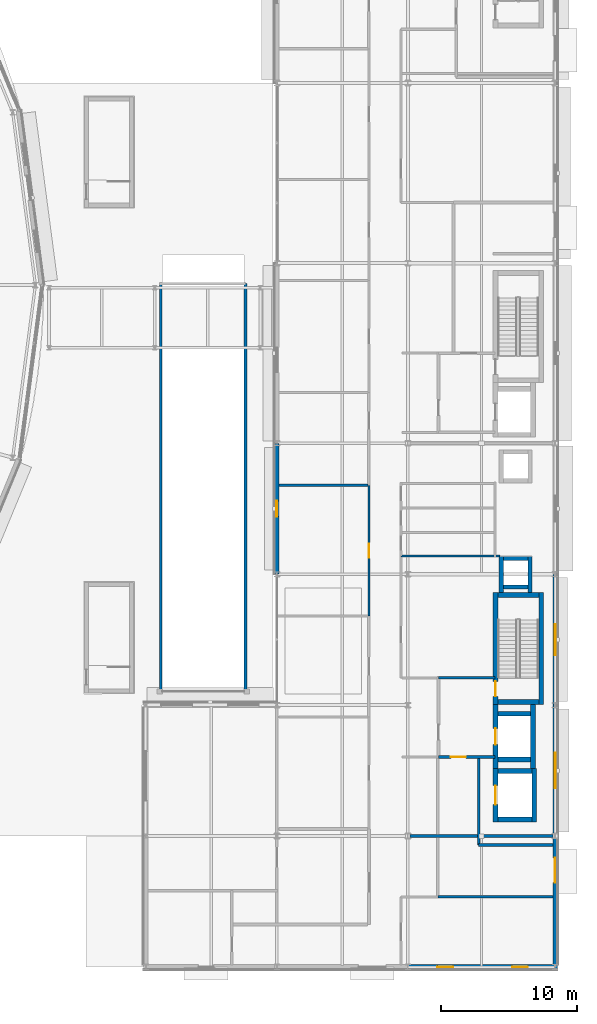
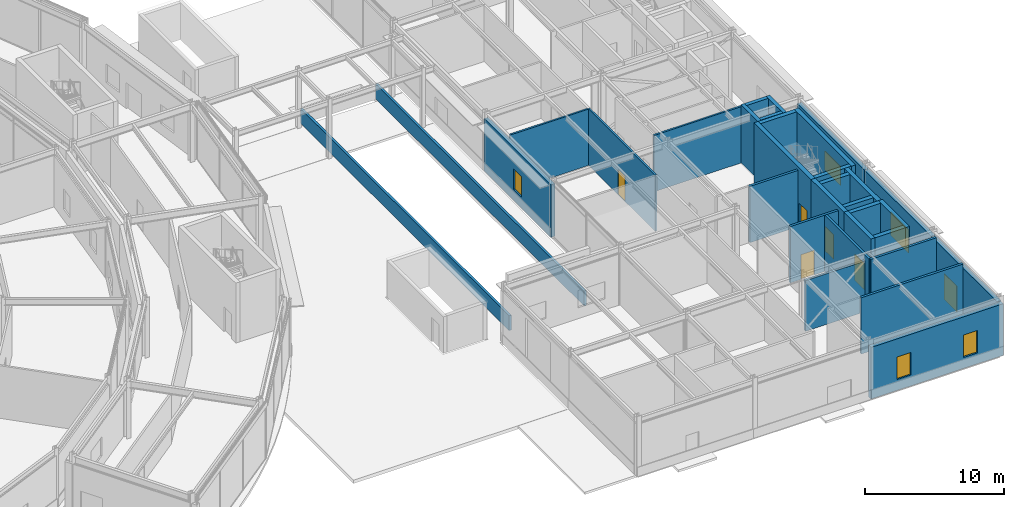
# One storey, part 128 of 168: 32 walls, 6 doors, 5 windows, 11 openings.
"""IFC4 building model written with IfcOpenShell, lengths in metres."""

from ifc_helpers import new_model, si_unit, direction, frame, frame_2d, origin, place, context, subcontext, project, spatial, rectangle, extrude, material, layer, layer_set, type_object, element, fill, save


model = new_model("IFC4")

# Units and contexts
model_context = context("Model", 3, precision=1e-05, world=origin(), true_north=direction((0.0, 1.0)))
body_context = subcontext(model_context, "Body", "Model", "MODEL_VIEW")
ifc_project = project(units=[si_unit("LENGTHUNIT", "METRE"), si_unit("AREAUNIT", "SQUARE_METRE"), si_unit("VOLUMEUNIT", "CUBIC_METRE"), si_unit("PLANEANGLEUNIT", "RADIAN"), si_unit("MASSUNIT", "GRAM", prefix="KILO")], contexts=[model_context])

# Site, building, storey
site_placement = place(None, origin())
site = spatial("IfcSite", under=ifc_project, at=site_placement, CompositionType="ELEMENT")
building_placement = place(site_placement, origin())
building = spatial("IfcBuilding", under=site, at=building_placement, Name="Almandine Court Research Institute", CompositionType="ELEMENT")
storey_placement = place(building_placement, origin())
storey = spatial("IfcBuildingStorey", under=building, at=storey_placement, Name="L00", CompositionType="ELEMENT", Elevation=0.0)

# Wall, opening, window
ifc_material_1 = material(Name="Andean Red-Buff Sandstone Plinth Wall", Category="masonry")
ifc_layer_1 = layer(ifc_material_1, 0.340087890625)
ifc_layer_set_1 = layer_set([ifc_layer_1], Name="Andean Red-Buff Sandstone Plinth Wall")
wall_type_1 = type_object("IfcWallType", Name="Wall-EXT-SAND-340", PredefinedType="SOLIDWALL", material=ifc_layer_set_1)
wall_1_placement = place(storey_placement, frame((153.60009765625, 34.803955078125, 0.0), z_axis=(0.0, 0.0, 1.0), x_axis=(0.0, 1.0, 0.0)))
wall_1 = element("IfcWall", 1, at=wall_1_placement, inside=storey, type_object=wall_type_1, Name="L00 Wet Lab West Facade Wall 2", PredefinedType="SOLIDWALL", context=body_context, shape_type="SweptSolid", body=[
    extrude(rectangle(XDim=9.592041015625, YDim=0.340087890625, at=frame_2d((4.7958984375, 0.0))), origin(), (0.0, 0.0, 1.0), 4.593017578125),
])
opening_1_placement = place(wall_1_placement, frame((4.216064453125, 0.0, 0.949951171875)))
opening_1 = element("IfcOpeningElement", 2, at=opening_1_placement, cuts=wall_1, Name="Opening WN-45", PredefinedType="OPENING", context=body_context, shape_type="SweptSolid", body=[
    extrude(rectangle(XDim=1.159912109375, YDim=1.81005859375, at=frame_2d((0.580078125, 0.905029296875))), frame((0.0, 0.179931640625, 0.0), z_axis=(0.0, -1.0, 0.0), x_axis=(1.0, 0.0, 0.0)), (0.0, 0.0, 1.0), 0.360107421875),
])
ifc_material_2 = material(Name="Thermally Broken Low-E Double-Glazed Window", Category="glass")
window_type_1 = type_object("IfcWindowType", Name="Win-WN-45-1160x1810", PartitioningType="SINGLE_PANEL", PredefinedType="WINDOW", material=ifc_material_2)
window_1_placement = place(opening_1_placement, origin())
window_1 = element("IfcWindow", 3, at=window_1_placement, inside=storey, type_object=window_type_1, Name="L00 Modular Recessed Low-E Window 69", OverallHeight=1.81005859375, OverallWidth=1.159912109375, PartitioningType="SINGLE_PANEL", PredefinedType="WINDOW", context=body_context, shape_type="SweptSolid", body=[
    extrude(rectangle(XDim=1.159912109375, YDim=1.81005859375, at=frame_2d((0.580078125, 0.905029296875))), frame((0.0, 0.030029296875, 0.0), z_axis=(0.0, -1.0, 0.0), x_axis=(1.0, 0.0, 0.0)), (0.0, 0.0, 1.0), 0.06005859375),
])
fill(opening_1, window_1)

wall_2_placement = place(storey_placement, frame((174.0, 34.7958984375, 0.0), z_axis=(0.0, 0.0, 1.0), x_axis=(0.0, -1.0, 0.0)))
wall_2 = element("IfcWall", 4, at=wall_2_placement, inside=storey, type_object=wall_type_1, Name="L00 Wet Lab East Facade Wall 3", PredefinedType="SOLIDWALL", context=body_context, shape_type="SweptSolid", body=[
    extrude(rectangle(XDim=9.591796875, YDim=0.340087890625, at=frame_2d((4.7958984375, 0.0))), origin(), (0.0, 0.0, 1.0), 4.583984375),
])
opening_2_placement = place(wall_2_placement, frame((3.666015625, 0.0, 0.949951171875)))
opening_2 = element("IfcOpeningElement", 5, at=opening_2_placement, cuts=wall_2, Name="Opening WN-58", PredefinedType="OPENING", context=body_context, shape_type="SweptSolid", body=[
    extrude(rectangle(XDim=2.260009765625, YDim=1.64990234375, at=frame_2d((1.1298828125, 0.824951171875))), frame((0.0, 0.179931640625, 0.0), z_axis=(0.0, -1.0, 0.0), x_axis=(1.0, 0.0, 0.0)), (0.0, 0.0, 1.0), 0.360107421875),
])
window_type_2 = type_object("IfcWindowType", Name="Win-WN-58-2260x1650", PartitioningType="SINGLE_PANEL", PredefinedType="WINDOW", material=ifc_material_2)
window_2_placement = place(opening_2_placement, origin())
window_2 = element("IfcWindow", 6, at=window_2_placement, inside=storey, type_object=window_type_2, Name="L00 Modular Recessed Low-E Window 83", OverallHeight=1.64990234375, OverallWidth=2.260009765625, PartitioningType="SINGLE_PANEL", PredefinedType="WINDOW", context=body_context, shape_type="SweptSolid", body=[
    extrude(rectangle(XDim=2.260009765625, YDim=1.64990234375, at=frame_2d((1.1298828125, 0.824951171875))), frame((0.0, 0.030029296875, 0.0), z_axis=(0.0, -1.0, 0.0), x_axis=(1.0, 0.0, 0.0)), (0.0, 0.0, 1.0), 0.06005859375),
])
fill(opening_2, window_2)

wall_3_placement = place(storey_placement, frame((174.0, 25.196044921875, 0.0), z_axis=(0.0, 0.0, 1.0), x_axis=(0.0, -1.0, 0.0)))
wall_3 = element("IfcWall", 7, at=wall_3_placement, inside=storey, type_object=wall_type_1, Name="L00 Wet Lab East Facade Wall 2", PredefinedType="SOLIDWALL", context=body_context, shape_type="SweptSolid", body=[
    extrude(rectangle(XDim=9.592041015625, YDim=0.340087890625, at=frame_2d((4.7958984375, 0.0))), origin(), (0.0, 0.0, 1.0), 4.583984375),
])
opening_3_placement = place(wall_3_placement, frame((3.5009765625, 0.0, 0.949951171875)))
opening_3 = element("IfcOpeningElement", 8, at=opening_3_placement, cuts=wall_3, Name="Opening WN-59", PredefinedType="OPENING", context=body_context, shape_type="SweptSolid", body=[
    extrude(rectangle(XDim=2.590087890625, YDim=2.050048828125, at=frame_2d((1.294921875, 1.02490234375))), frame((0.0, 0.179931640625, 0.0), z_axis=(0.0, -1.0, 0.0), x_axis=(1.0, 0.0, 0.0)), (0.0, 0.0, 1.0), 0.360107421875),
])
window_type_3 = type_object("IfcWindowType", Name="Win-WN-59-2590x2050", PartitioningType="SINGLE_PANEL", PredefinedType="WINDOW", material=ifc_material_2)
window_3_placement = place(opening_3_placement, origin())
window_3 = element("IfcWindow", 9, at=window_3_placement, inside=storey, type_object=window_type_3, Name="L00 Modular Recessed Low-E Window 84", OverallHeight=2.050048828125, OverallWidth=2.590087890625, PartitioningType="SINGLE_PANEL", PredefinedType="WINDOW", context=body_context, shape_type="SweptSolid", body=[
    extrude(rectangle(XDim=2.590087890625, YDim=2.050048828125, at=frame_2d((1.294921875, 1.02490234375))), frame((0.0, 0.030029296875, 0.0), z_axis=(0.0, -1.0, 0.0), x_axis=(1.0, 0.0, 0.0)), (0.0, 0.0, 1.0), 0.06005859375),
])
fill(opening_3, window_3)

# Wall, opening, door
wall_4_placement = place(storey_placement, frame((174.0, 15.595947265625, 0.0), z_axis=(0.0, 0.0, 1.0), x_axis=(0.0, -1.0, 0.0)))
wall_4 = element("IfcWall", 10, at=wall_4_placement, inside=storey, type_object=wall_type_1, Name="L00 Wet Lab East Facade Wall 1", PredefinedType="SOLIDWALL", context=body_context, shape_type="SweptSolid", body=[
    extrude(rectangle(XDim=9.421875, YDim=0.340087890625, at=frame_2d((4.7109375, 0.0))), origin(), (0.0, 0.0, 1.0), 4.583984375),
])
opening_4_placement = place(wall_4_placement, frame((1.60009765625, 0.0, 0.0)))
opening_4 = element("IfcOpeningElement", 11, at=opening_4_placement, cuts=wall_4, Name="Opening EX-02", PredefinedType="OPENING", context=body_context, shape_type="SweptSolid", body=[
    extrude(rectangle(XDim=1.800048828125, YDim=2.25, at=frame_2d((0.89990234375, 1.125))), frame((0.0, 0.179931640625, 0.0), z_axis=(0.0, -1.0, 0.0), x_axis=(1.0, 0.0, 0.0)), (0.0, 0.0, 1.0), 0.360107421875),
])
ifc_material_3 = material(Name="Anodised Aluminium Exit Discharge Door", Category="aluminium")
door_type_1 = type_object("IfcDoorType", Name="Door-EX-1800", OperationType="DOUBLE_DOOR_SINGLE_SWING", PredefinedType="DOOR", material=ifc_material_3)
door_1_placement = place(opening_4_placement, origin())
door_1 = element("IfcDoor", 12, at=door_1_placement, inside=storey, type_object=door_type_1, Name="L00 Core 1 ST-07 East Protected Exit Door", OperationType="DOUBLE_DOOR_SINGLE_SWING", OverallHeight=2.25, OverallWidth=1.800048828125, PredefinedType="DOOR", context=body_context, shape_type="SweptSolid", body=[
    extrude(rectangle(XDim=1.800048828125, YDim=2.25, at=frame_2d((0.89990234375, 1.125))), frame((0.0, 0.02490234375, 0.0), z_axis=(0.0, -1.0, 0.0), x_axis=(1.0, 0.0, 0.0)), (0.0, 0.0, 1.0), 0.050048828125),
])
fill(opening_4, door_1)

# Wall, openings, windows
wall_5_placement = place(storey_placement, frame((174.169921875, 6.0, 0.0), z_axis=(0.0, 0.0, 1.0), x_axis=(-1.0, 0.0, 0.0)))
wall_5 = element("IfcWall", 13, at=wall_5_placement, inside=storey, type_object=wall_type_1, Name="L00 Wet Lab South Wall 1", PredefinedType="SOLIDWALL", context=body_context, shape_type="SweptSolid", body=[
    extrude(rectangle(XDim=10.9658203125, YDim=0.340087890625, at=frame_2d((5.48291015625, 0.0))), origin(), (0.0, 0.0, 1.0), 4.51611328125),
])
opening_5_placement = place(wall_5_placement, frame((2.160888671875, 0.0, 0.949951171875)))
opening_5 = element("IfcOpeningElement", 14, at=opening_5_placement, cuts=wall_5, Name="Opening WN-60", PredefinedType="OPENING", context=body_context, shape_type="SweptSolid", body=[
    extrude(rectangle(XDim=1.159912109375, YDim=1.969970703125, at=frame_2d((0.580078125, 0.98486328125))), frame((0.0, 0.179931640625, 0.0), z_axis=(0.0, -1.0, 0.0), x_axis=(1.0, 0.0, 0.0)), (0.0, 0.0, 1.0), 0.360107421875),
])
opening_6_placement = place(wall_5_placement, frame((7.64404296875, 0.0, 0.949951171875)))
opening_6 = element("IfcOpeningElement", 15, at=opening_6_placement, cuts=wall_5, Name="Opening WN-60", PredefinedType="OPENING", context=body_context, shape_type="SweptSolid", body=[
    extrude(rectangle(XDim=1.159912109375, YDim=1.969970703125, at=frame_2d((0.580078125, 0.98486328125))), frame((0.0, 0.179931640625, 0.0), z_axis=(0.0, -1.0, 0.0), x_axis=(1.0, 0.0, 0.0)), (0.0, 0.0, 1.0), 0.360107421875),
])
window_type_4 = type_object("IfcWindowType", Name="Win-WN-60-1160x1970", PartitioningType="SINGLE_PANEL", PredefinedType="WINDOW", material=ifc_material_2)
window_4_placement = place(opening_5_placement, origin())
window_4 = element("IfcWindow", 16, at=window_4_placement, inside=storey, type_object=window_type_4, Name="L00 Modular Recessed Low-E Window 85", OverallHeight=1.969970703125, OverallWidth=1.159912109375, PartitioningType="SINGLE_PANEL", PredefinedType="WINDOW", context=body_context, shape_type="SweptSolid", body=[
    extrude(rectangle(XDim=1.159912109375, YDim=1.969970703125, at=frame_2d((0.580078125, 0.98486328125))), frame((0.0, 0.030029296875, 0.0), z_axis=(0.0, -1.0, 0.0), x_axis=(1.0, 0.0, 0.0)), (0.0, 0.0, 1.0), 0.06005859375),
])
fill(opening_5, window_4)
window_5_placement = place(opening_6_placement, origin())
window_5 = element("IfcWindow", 17, at=window_5_placement, inside=storey, type_object=window_type_4, Name="L00 Modular Recessed Low-E Window 86", OverallHeight=1.969970703125, OverallWidth=1.159912109375, PartitioningType="SINGLE_PANEL", PredefinedType="WINDOW", context=body_context, shape_type="SweptSolid", body=[
    extrude(rectangle(XDim=1.159912109375, YDim=1.969970703125, at=frame_2d((0.580078125, 0.98486328125))), frame((0.0, 0.030029296875, 0.0), z_axis=(0.0, -1.0, 0.0), x_axis=(1.0, 0.0, 0.0)), (0.0, 0.0, 1.0), 0.06005859375),
])
fill(opening_6, window_5)

# Wall
ifc_material_4 = material(Name="Two-Hour Fire-Barrier Enclosure Wall")
ifc_layer_2 = layer(ifc_material_4, 0.199951171875)
ifc_layer_set_2 = layer_set([ifc_layer_2], Name="Two-Hour Fire-Barrier Enclosure Wall")
wall_type_2 = type_object("IfcWallType", Name="Wall-FIRE-200", PredefinedType="SOLIDWALL", material=ifc_layer_set_2)
wall_6_placement = place(storey_placement, frame((163.360107421875, 15.60009765625, 0.0), z_axis=(0.0, 0.0, 1.0), x_axis=(1.0, 0.0, 0.0)))
element("IfcWall", 18, at=wall_6_placement, inside=storey, type_object=wall_type_2, Name="L00 Interior Partition W-BF-V4-BF1-L00", PredefinedType="SOLIDWALL", context=body_context, shape_type="SweptSolid", body=[
    extrude(rectangle(XDim=10.47998046875, YDim=0.199951171875, at=frame_2d((5.239990234375, 0.0))), origin(), (0.0, 0.0, 1.0), 4.43798828125),
])

# Wall, opening, door
wall_7_placement = place(storey_placement, frame((165.449951171875, 21.39990234375, 0.0), z_axis=(0.0, 0.0, 1.0), x_axis=(1.0, 0.0, 0.0)))
wall_7 = element("IfcWall", 19, at=wall_7_placement, inside=storey, type_object=wall_type_2, Name="L00 Interior Partition W-FFL1-L00-S", PredefinedType="SOLIDWALL", context=body_context, shape_type="SweptSolid", body=[
    extrude(rectangle(XDim=4.150146484375, YDim=0.199951171875, at=frame_2d((2.0751953125, 0.0))), origin(), (0.0, 0.0, 1.0), 4.929931640625),
])
opening_7_placement = place(wall_7_placement, frame((0.89990234375, 0.0, 0.0)))
opening_7 = element("IfcOpeningElement", 20, at=opening_7_placement, cuts=wall_7, Name="Opening FD-FFL", PredefinedType="OPENING", context=body_context, shape_type="SweptSolid", body=[
    extrude(rectangle(XDim=1.10009765625, YDim=2.14990234375, at=frame_2d((0.550048828125, 1.074951171875))), frame((0.0, 0.10986328125, 0.0), z_axis=(0.0, -1.0, 0.0), x_axis=(1.0, 0.0, 0.0)), (0.0, 0.0, 1.0), 0.219970703125),
])
ifc_material_5 = material(Name="Smoke-Tight Firefighting Lobby Fire Door")
door_type_2 = type_object("IfcDoorType", Name="Door-FD-FFL-1100", OperationType="NOTDEFINED", PredefinedType="DOOR", material=ifc_material_5)
door_2_placement = place(opening_7_placement, origin())
door_2 = element("IfcDoor", 21, at=door_2_placement, inside=storey, type_object=door_type_2, Name="L00 ST-07 Protected Exit Passageway Door", OperationType="SINGLE_SWING_RIGHT", OverallHeight=2.14990234375, OverallWidth=1.10009765625, PredefinedType="DOOR", context=body_context, shape_type="SweptSolid", body=[
    extrude(rectangle(XDim=1.10009765625, YDim=2.14990234375, at=frame_2d((0.550048828125, 1.074951171875))), frame((0.0, 0.02490234375, 0.0), z_axis=(0.0, -1.0, 0.0), x_axis=(1.0, 0.0, 0.0)), (0.0, 0.0, 1.0), 0.050048828125),
])
fill(opening_7, door_2)

# Walls
wall_8_placement = place(storey_placement, frame((165.449951171875, 27.199951171875, 0.0), z_axis=(0.0, 0.0, 1.0), x_axis=(1.0, 0.0, 0.0)))
element("IfcWall", 22, at=wall_8_placement, inside=storey, type_object=wall_type_2, Name="L00 Interior Partition W-FFL1-L00-N", PredefinedType="SOLIDWALL", context=body_context, shape_type="SweptSolid", body=[
    extrude(rectangle(XDim=4.150146484375, YDim=0.199951171875, at=frame_2d((2.0751953125, 0.0))), origin(), (0.0, 0.0, 1.0), 4.929931640625),
])
wall_9_placement = place(storey_placement, frame((165.39990234375, 11.14990234375, 0.0), z_axis=(0.0, 0.0, 1.0), x_axis=(1.0, 0.0, 0.0)))
element("IfcWall", 23, at=wall_9_placement, inside=storey, type_object=wall_type_2, Name="L00 Interior Partition W-EP-ST07-S", PredefinedType="SOLIDWALL", context=body_context, shape_type="SweptSolid", body=[
    extrude(rectangle(XDim=8.440185546875, YDim=0.199951171875, at=frame_2d((4.22021484375, 0.0))), origin(), (0.0, 0.0, 1.0), 4.929931640625),
])
wall_10_placement = place(storey_placement, frame((168.39990234375, 14.949951171875, 0.0), z_axis=(0.0, 0.0, 1.0), x_axis=(1.0, 0.0, 0.0)))
element("IfcWall", 24, at=wall_10_placement, inside=storey, type_object=wall_type_2, Name="L00 Interior Partition W-EP-ST07-N", PredefinedType="SOLIDWALL", context=body_context, shape_type="SweptSolid", body=[
    extrude(rectangle(XDim=5.440185546875, YDim=0.199951171875, at=frame_2d((2.72021484375, 0.0))), origin(), (0.0, 0.0, 1.0), 4.929931640625),
])
wall_11_placement = place(storey_placement, frame((168.39990234375, 14.949951171875, 0.0), z_axis=(0.0, 0.0, 1.0), x_axis=(0.0, 1.0, 0.0)))
element("IfcWall", 25, at=wall_11_placement, inside=storey, type_object=wall_type_2, Name="L00 Interior Partition W-EP-ST07-E", PredefinedType="SOLIDWALL", context=body_context, shape_type="SweptSolid", body=[
    extrude(rectangle(XDim=6.400146484375, YDim=0.199951171875, at=frame_2d((3.2001953125, 0.0))), origin(), (0.0, 0.0, 1.0), 4.929931640625),
])
ifc_material_6 = material(Name="Terracotta-Coping Ramp and Terrace Parapet", Category="masonry")
ifc_layer_3 = layer(ifc_material_6, 0.18994140625)
ifc_layer_set_3 = layer_set([ifc_layer_3], Name="Terracotta-Coping Ramp and Terrace Parapet")
wall_type_3 = type_object("IfcWallType", Name="Wall-PAR-190", PredefinedType="PARAPET", material=ifc_layer_set_3)
for number, where, z_axis, x_axis, name in (
    (26, (145.10009765625, 26.199951171875, 0.0), (0.0, 0.0, 1.0), (0.0, 1.0, 0.0), "L00 Ramp Well West Parapet"),
    (27, (151.300048828125, 56.10009765625, 0.0), (0.0, 0.0, 1.0), (0.0, -1.0, 0.0), "L00 Ramp Well East Parapet"),
):
    element("IfcWall", number, at=place(storey_placement, frame(where, z_axis=z_axis, x_axis=x_axis)), inside=storey, type_object=wall_type_3, Name=name, PredefinedType="PARAPET", context=body_context, shape_type="SweptSolid", body=[
        extrude(rectangle(XDim=29.900146484375, YDim=0.18994140625, at=frame_2d((14.9501953125, 0.0))), origin(), (0.0, 0.0, 1.0), 1.300048828125),
    ])
ifc_material_7 = material(Name="Acoustic Steel-Stud Gypsum Partition Wall", Category="steel")
ifc_layer_4 = layer(ifc_material_7, 0.14990234375)
ifc_layer_set_4 = layer_set([ifc_layer_4], Name="Acoustic Steel-Stud Gypsum Partition Wall")
wall_type_4 = type_object("IfcWallType", Name="Wall-PART-150", PredefinedType="PARTITIONING", material=ifc_layer_set_4)
wall_12_placement = place(storey_placement, frame((162.699951171875, 36.1201171875, 0.0), z_axis=(0.0, 0.0, 1.0), x_axis=(1.0, 0.0, 0.0)))
element("IfcWall", 28, at=wall_12_placement, inside=storey, type_object=wall_type_4, Name="L00 Interior Partition W-V4-L00-WCS", PredefinedType="PARTITIONING", context=body_context, shape_type="SweptSolid", body=[
    extrude(rectangle(XDim=7.25, YDim=0.14990234375, at=frame_2d((3.625, 0.0))), origin(), (0.0, 0.0, 1.0), 4.929931640625),
])

# Wall, opening, door
wall_13_placement = place(storey_placement, frame((160.35009765625, 31.719970703125, 0.0), z_axis=(0.0, 0.0, 1.0), x_axis=(0.0, 1.0, 0.0)))
wall_13 = element("IfcWall", 29, at=wall_13_placement, inside=storey, type_object=wall_type_4, Name="L00 Interior Partition W-V4-L00-WW-2", PredefinedType="PARTITIONING", context=body_context, shape_type="SweptSolid", body=[
    extrude(rectangle(XDim=9.60009765625, YDim=0.14990234375, at=frame_2d((4.800048828125, 0.0))), origin(), (0.0, 0.0, 1.0), 4.929931640625),
])
opening_8_placement = place(wall_13_placement, frame((4.300048828125, 0.0, 0.0)))
opening_8 = element("IfcOpeningElement", 30, at=opening_8_placement, cuts=wall_13, Name="Opening D-02", PredefinedType="OPENING", context=body_context, shape_type="SweptSolid", body=[
    extrude(rectangle(XDim=1.0, YDim=2.199951171875, at=frame_2d((0.5, 1.10009765625))), frame((0.0, 0.0849609375, 0.0), z_axis=(0.0, -1.0, 0.0), x_axis=(1.0, 0.0, 0.0)), (0.0, 0.0, 1.0), 0.169921875),
])
ifc_material_8 = material(Name="Solid-Core Timber Researcher Office Door", Category="wood")
door_type_3 = type_object("IfcDoorType", Name="Door-INT-1000", OperationType="NOTDEFINED", PredefinedType="DOOR", material=ifc_material_8)
door_3_placement = place(opening_8_placement, origin())
door_3 = element("IfcDoor", 31, at=door_3_placement, inside=storey, type_object=door_type_3, Name="L00 Faculty Study Door", OperationType="SINGLE_SWING_RIGHT", OverallHeight=2.199951171875, OverallWidth=1.0, PredefinedType="DOOR", context=body_context, shape_type="SweptSolid", body=[
    extrude(rectangle(XDim=1.0, YDim=2.199951171875, at=frame_2d((0.5, 1.10009765625))), frame((0.0, 0.02490234375, 0.0), z_axis=(0.0, -1.0, 0.0), x_axis=(1.0, 0.0, 0.0)), (0.0, 0.0, 1.0), 0.050048828125),
])
fill(opening_8, door_3)

# Walls
wall_14_placement = place(storey_placement, frame((153.760009765625, 41.320068359375, 0.0), z_axis=(0.0, 0.0, 1.0), x_axis=(1.0, 0.0, 0.0)))
element("IfcWall", 32, at=wall_14_placement, inside=storey, type_object=wall_type_4, Name="L00 Interior Partition W-V4-L00-WDIV-2", PredefinedType="PARTITIONING", context=body_context, shape_type="SweptSolid", body=[
    extrude(rectangle(XDim=6.510009765625, YDim=0.14990234375, at=frame_2d((3.2548828125, 0.0))), origin(), (0.0, 0.0, 1.0), 4.929931640625),
])
ifc_material_9 = material(Name="Concrete C40/50", Category="concrete")
ifc_layer_5 = layer(ifc_material_9, 0.300048828125)
ifc_layer_set_5 = layer_set([ifc_layer_5], Name="Concrete C40/50")
wall_type_5 = type_object("IfcWallType", Name="Wall-SW-CORE-300", PredefinedType="SHEAR", material=ifc_layer_set_5)
wall_15_placement = place(storey_placement, frame((170.050048828125, 33.449951171875, 0.0), z_axis=(0.0, 0.0, 1.0), x_axis=(0.0, 1.0, 0.0)))
element("IfcWall", 33, at=wall_15_placement, inside=storey, type_object=wall_type_5, Name="L00 MEP Riser RS-V4A W Shear Wall", PredefinedType="SHEAR", context=body_context, shape_type="SweptSolid", body=[
    extrude(rectangle(XDim=2.650146484375, YDim=0.300048828125, at=frame_2d((1.3251953125, 0.0))), origin(), (0.0, 0.0, 1.0), 5.070068359375),
])
wall_16_placement = place(storey_placement, frame((170.199951171875, 35.949951171875, 0.0), z_axis=(0.0, 0.0, 1.0), x_axis=(1.0, 0.0, 0.0)))
element("IfcWall", 34, at=wall_16_placement, inside=storey, type_object=wall_type_5, Name="L00 MEP Riser RS-V4A N Shear Wall", PredefinedType="SHEAR", context=body_context, shape_type="SweptSolid", body=[
    extrude(rectangle(XDim=1.800048828125, YDim=0.300048828125, at=frame_2d((0.89990234375, 0.0))), origin(), (0.0, 0.0, 1.0), 5.070068359375),
])
wall_17_placement = place(storey_placement, frame((172.14990234375, 36.10009765625, 0.0), z_axis=(0.0, 0.0, 1.0), x_axis=(0.0, -1.0, 0.0)))
element("IfcWall", 35, at=wall_17_placement, inside=storey, type_object=wall_type_5, Name="L00 MEP Riser RS-V4A E Shear Wall", PredefinedType="SHEAR", context=body_context, shape_type="SweptSolid", body=[
    extrude(rectangle(XDim=2.650146484375, YDim=0.300048828125, at=frame_2d((1.3251953125, 0.0))), origin(), (0.0, 0.0, 1.0), 5.070068359375),
])
wall_18_placement = place(storey_placement, frame((172.0, 33.85009765625, 0.0), z_axis=(0.0, 0.0, 1.0), x_axis=(-1.0, 0.0, 0.0)))
element("IfcWall", 36, at=wall_18_placement, inside=storey, type_object=wall_type_5, Name="L00 MEP Riser RS-V4A S Shear Wall", PredefinedType="SHEAR", context=body_context, shape_type="SweptSolid", body=[
    extrude(rectangle(XDim=1.800048828125, YDim=0.300048828125, at=frame_2d((0.89990234375, 0.0))), origin(), (0.0, 0.0, 1.0), 5.070068359375),
])

# Wall, opening, door
ifc_layer_6 = layer(ifc_material_9, 0.35009765625)
ifc_layer_set_6 = layer_set([ifc_layer_6], Name="Concrete C40/50")
wall_type_6 = type_object("IfcWallType", Name="Wall-SW-CORE-350", PredefinedType="SHEAR", material=ifc_layer_set_6)
wall_19_placement = place(storey_placement, frame((169.625, 25.25, 0.0), z_axis=(0.0, 0.0, 1.0), x_axis=(0.0, 1.0, 0.0)))
wall_19 = element("IfcWall", 37, at=wall_19_placement, inside=storey, type_object=wall_type_6, Name="L00 ST-07 W Shear Wall", PredefinedType="SHEAR", context=body_context, shape_type="SweptSolid", body=[
    extrude(rectangle(XDim=8.199951171875, YDim=0.35009765625, at=frame_2d((4.10009765625, 0.0))), origin(), (0.0, 0.0, 1.0), 5.25),
])
opening_9_placement = place(wall_19_placement, frame((0.60009765625, 0.0, 0.0)))
opening_9 = element("IfcOpeningElement", 38, at=opening_9_placement, cuts=wall_19, Name="Opening FD-STAIR", PredefinedType="OPENING", context=body_context, shape_type="SweptSolid", body=[
    extrude(rectangle(XDim=1.10009765625, YDim=2.14990234375, at=frame_2d((0.550048828125, 1.074951171875))), frame((0.0, 0.18505859375, 0.0), z_axis=(0.0, -1.0, 0.0), x_axis=(1.0, 0.0, 0.0)), (0.0, 0.0, 1.0), 0.3701171875),
])
ifc_material_10 = material(Name="Self-Closing Steel Exit Stair Fire Door", Category="steel")
door_type_4 = type_object("IfcDoorType", Name="Door-FD-STAIR-1100", OperationType="NOTDEFINED", PredefinedType="DOOR", material=ifc_material_10)
door_4_placement = place(opening_9_placement, origin())
door_4 = element("IfcDoor", 39, at=door_4_placement, inside=storey, type_object=door_type_4, Name="L00 Exit Stair ST-07 Fire Door", OperationType="SINGLE_SWING_LEFT", OverallHeight=2.14990234375, OverallWidth=1.10009765625, PredefinedType="DOOR", context=body_context, shape_type="SweptSolid", body=[
    extrude(rectangle(XDim=1.10009765625, YDim=2.14990234375, at=frame_2d((0.550048828125, 1.074951171875))), frame((0.0, 0.02490234375, 0.0), z_axis=(0.0, -1.0, 0.0), x_axis=(1.0, 0.0, 0.0)), (0.0, 0.0, 1.0), 0.050048828125),
])
fill(opening_9, door_4)

# Walls
wall_20_placement = place(storey_placement, frame((169.800048828125, 33.27490234375, 0.0), z_axis=(0.0, 0.0, 1.0), x_axis=(1.0, 0.0, 0.0)))
element("IfcWall", 40, at=wall_20_placement, inside=storey, type_object=wall_type_6, Name="L00 ST-07 N Shear Wall", PredefinedType="SHEAR", context=body_context, shape_type="SweptSolid", body=[
    extrude(rectangle(XDim=3.0, YDim=0.35009765625, at=frame_2d((1.5, 0.0))), origin(), (0.0, 0.0, 1.0), 5.25),
])
wall_21_placement = place(storey_placement, frame((172.97509765625, 33.449951171875, 0.0), z_axis=(0.0, 0.0, 1.0), x_axis=(0.0, -1.0, 0.0)))
element("IfcWall", 41, at=wall_21_placement, inside=storey, type_object=wall_type_6, Name="L00 ST-07 E Shear Wall", PredefinedType="SHEAR", context=body_context, shape_type="SweptSolid", body=[
    extrude(rectangle(XDim=8.199951171875, YDim=0.35009765625, at=frame_2d((4.10009765625, 0.0))), origin(), (0.0, 0.0, 1.0), 5.25),
])
wall_22_placement = place(storey_placement, frame((172.800048828125, 25.425048828125, 0.0), z_axis=(0.0, 0.0, 1.0), x_axis=(-1.0, 0.0, 0.0)))
element("IfcWall", 42, at=wall_22_placement, inside=storey, type_object=wall_type_6, Name="L00 ST-07 S Shear Wall", PredefinedType="SHEAR", context=body_context, shape_type="SweptSolid", body=[
    extrude(rectangle(XDim=3.0, YDim=0.35009765625, at=frame_2d((1.5, 0.0))), origin(), (0.0, 0.0, 1.0), 5.25),
])

# Wall, opening, door
wall_23_placement = place(storey_placement, frame((169.625, 20.550048828125, 0.0), z_axis=(0.0, 0.0, 1.0), x_axis=(0.0, 1.0, 0.0)))
wall_23 = element("IfcWall", 43, at=wall_23_placement, inside=storey, type_object=wall_type_6, Name="L00 FL-01 Hoistway W Shear Wall", PredefinedType="SHEAR", context=body_context, shape_type="SweptSolid", body=[
    extrude(rectangle(XDim=4.699951171875, YDim=0.35009765625, at=frame_2d((2.35009765625, 0.0))), origin(), (0.0, 0.0, 1.0), 5.25),
])
opening_10_placement = place(wall_23_placement, frame((1.75, 0.0, 0.0)))
opening_10 = element("IfcOpeningElement", 44, at=opening_10_placement, cuts=wall_23, Name="Opening LD-02", PredefinedType="OPENING", context=body_context, shape_type="SweptSolid", body=[
    extrude(rectangle(XDim=1.199951171875, YDim=2.14990234375, at=frame_2d((0.60009765625, 1.074951171875))), frame((0.0, 0.18505859375, 0.0), z_axis=(0.0, -1.0, 0.0), x_axis=(1.0, 0.0, 0.0)), (0.0, 0.0, 1.0), 0.3701171875),
])
ifc_material_11 = material(Name="Firefighting Lift Landing Sliding Door")
door_type_5 = type_object("IfcDoorType", Name="Door-LD-FSAE-1200", OperationType="SLIDING_TO_LEFT", PredefinedType="USERDEFINED", material=ifc_material_11)
door_5_placement = place(opening_10_placement, origin())
door_5 = element("IfcDoor", 45, at=door_5_placement, inside=storey, type_object=door_type_5, Name="L00 Firefighting Lift FL-01 Sliding Landing Door", ObjectType="LANDING DOOR", OperationType="SLIDING_TO_LEFT", OverallHeight=2.14990234375, OverallWidth=1.199951171875, PredefinedType="USERDEFINED", context=body_context, shape_type="SweptSolid", body=[
    extrude(rectangle(XDim=1.199951171875, YDim=2.14990234375, at=frame_2d((0.60009765625, 1.074951171875))), frame((0.0, 0.02490234375, 0.0), z_axis=(0.0, -1.0, 0.0), x_axis=(1.0, 0.0, 0.0)), (0.0, 0.0, 1.0), 0.050048828125),
])
fill(opening_10, door_5)

# Walls
wall_24_placement = place(storey_placement, frame((169.800048828125, 24.574951171875, 0.0), z_axis=(0.0, 0.0, 1.0), x_axis=(1.0, 0.0, 0.0)))
element("IfcWall", 46, at=wall_24_placement, inside=storey, type_object=wall_type_6, Name="L00 FL-01 Hoistway N Shear Wall", PredefinedType="SHEAR", context=body_context, shape_type="SweptSolid", body=[
    extrude(rectangle(XDim=2.39990234375, YDim=0.35009765625, at=frame_2d((1.199951171875, 0.0))), origin(), (0.0, 0.0, 1.0), 5.25),
])
wall_25_placement = place(storey_placement, frame((172.375, 25.25, 0.0), z_axis=(0.0, 0.0, 1.0), x_axis=(0.0, -1.0, 0.0)))
element("IfcWall", 47, at=wall_25_placement, inside=storey, type_object=wall_type_6, Name="L00 FL-01 Hoistway E Shear Wall", PredefinedType="SHEAR", context=body_context, shape_type="SweptSolid", body=[
    extrude(rectangle(XDim=4.699951171875, YDim=0.35009765625, at=frame_2d((2.35009765625, 0.0))), origin(), (0.0, 0.0, 1.0), 5.25),
])
wall_26_placement = place(storey_placement, frame((172.199951171875, 21.22509765625, 0.0), z_axis=(0.0, 0.0, 1.0), x_axis=(-1.0, 0.0, 0.0)))
element("IfcWall", 48, at=wall_26_placement, inside=storey, type_object=wall_type_6, Name="L00 FL-01 Hoistway S Shear Wall", PredefinedType="SHEAR", context=body_context, shape_type="SweptSolid", body=[
    extrude(rectangle(XDim=2.39990234375, YDim=0.35009765625, at=frame_2d((1.199951171875, 0.0))), origin(), (0.0, 0.0, 1.0), 5.25),
])

# Wall, opening, door
wall_27_placement = place(storey_placement, frame((169.625, 16.64990234375, 0.0), z_axis=(0.0, 0.0, 1.0), x_axis=(0.0, 1.0, 0.0)))
wall_27 = element("IfcWall", 49, at=wall_27_placement, inside=storey, type_object=wall_type_6, Name="L00 GL-01 Hoistway W Shear Wall", PredefinedType="SHEAR", context=body_context, shape_type="SweptSolid", body=[
    extrude(rectangle(XDim=3.900146484375, YDim=0.35009765625, at=frame_2d((1.9501953125, 0.0))), origin(), (0.0, 0.0, 1.0), 5.25),
])
opening_11_placement = place(wall_27_placement, frame((1.25, 0.0, 0.0)))
opening_11 = element("IfcOpeningElement", 50, at=opening_11_placement, cuts=wall_27, Name="Opening LD-03", PredefinedType="OPENING", context=body_context, shape_type="SweptSolid", body=[
    extrude(rectangle(XDim=1.39990234375, YDim=2.300048828125, at=frame_2d((0.699951171875, 1.14990234375))), frame((0.0, 0.18505859375, 0.0), z_axis=(0.0, -1.0, 0.0), x_axis=(1.0, 0.0, 0.0)), (0.0, 0.0, 1.0), 0.3701171875),
])
ifc_material_12 = material(Name="Heavy Goods Lift Landing Sliding Door")
door_type_6 = type_object("IfcDoorType", Name="Door-LD-GOOD-1400", OperationType="SLIDING_TO_LEFT", PredefinedType="USERDEFINED", material=ifc_material_12)
door_6_placement = place(opening_11_placement, origin())
door_6 = element("IfcDoor", 51, at=door_6_placement, inside=storey, type_object=door_type_6, Name="L00 Wet Laboratory Goods Lift GL-01 Sliding Landing Door", ObjectType="LANDING DOOR", OperationType="SLIDING_TO_LEFT", OverallHeight=2.300048828125, OverallWidth=1.39990234375, PredefinedType="USERDEFINED", context=body_context, shape_type="SweptSolid", body=[
    extrude(rectangle(XDim=1.39990234375, YDim=2.300048828125, at=frame_2d((0.699951171875, 1.14990234375))), frame((0.0, 0.02490234375, 0.0), z_axis=(0.0, -1.0, 0.0), x_axis=(1.0, 0.0, 0.0)), (0.0, 0.0, 1.0), 0.050048828125),
])
fill(opening_11, door_6)

# Walls
wall_28_placement = place(storey_placement, frame((169.800048828125, 20.375, 0.0), z_axis=(0.0, 0.0, 1.0), x_axis=(1.0, 0.0, 0.0)))
element("IfcWall", 52, at=wall_28_placement, inside=storey, type_object=wall_type_6, Name="L00 GL-01 Hoistway N Shear Wall", PredefinedType="SHEAR", context=body_context, shape_type="SweptSolid", body=[
    extrude(rectangle(XDim=2.5, YDim=0.35009765625, at=frame_2d((1.25, 0.0))), origin(), (0.0, 0.0, 1.0), 5.25),
])
wall_29_placement = place(storey_placement, frame((172.47509765625, 20.550048828125, 0.0), z_axis=(0.0, 0.0, 1.0), x_axis=(0.0, -1.0, 0.0)))
element("IfcWall", 53, at=wall_29_placement, inside=storey, type_object=wall_type_6, Name="L00 GL-01 Hoistway E Shear Wall", PredefinedType="SHEAR", context=body_context, shape_type="SweptSolid", body=[
    extrude(rectangle(XDim=3.900146484375, YDim=0.35009765625, at=frame_2d((1.9501953125, 0.0))), origin(), (0.0, 0.0, 1.0), 5.25),
])
wall_30_placement = place(storey_placement, frame((172.300048828125, 16.824951171875, 0.0), z_axis=(0.0, 0.0, 1.0), x_axis=(-1.0, 0.0, 0.0)))
element("IfcWall", 54, at=wall_30_placement, inside=storey, type_object=wall_type_6, Name="L00 GL-01 Hoistway S Shear Wall", PredefinedType="SHEAR", context=body_context, shape_type="SweptSolid", body=[
    extrude(rectangle(XDim=2.5, YDim=0.35009765625, at=frame_2d((1.25, 0.0))), origin(), (0.0, 0.0, 1.0), 5.25),
])

save(model, "model.ifc")
